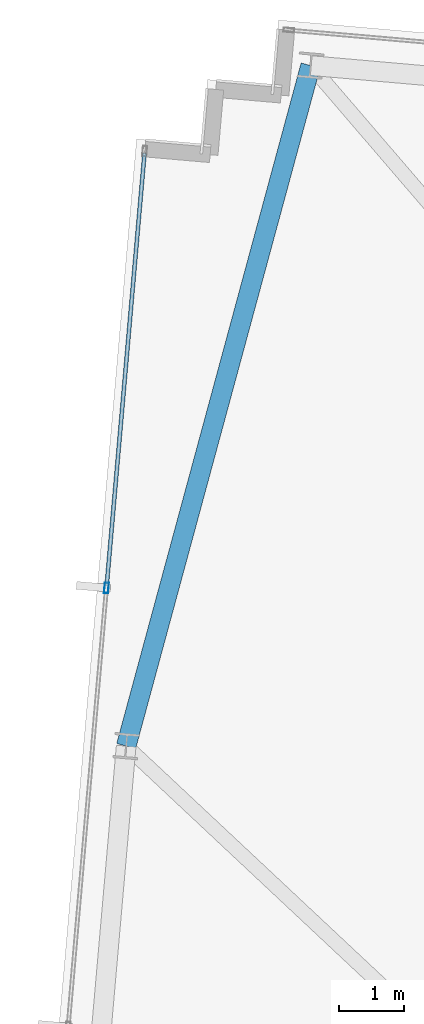
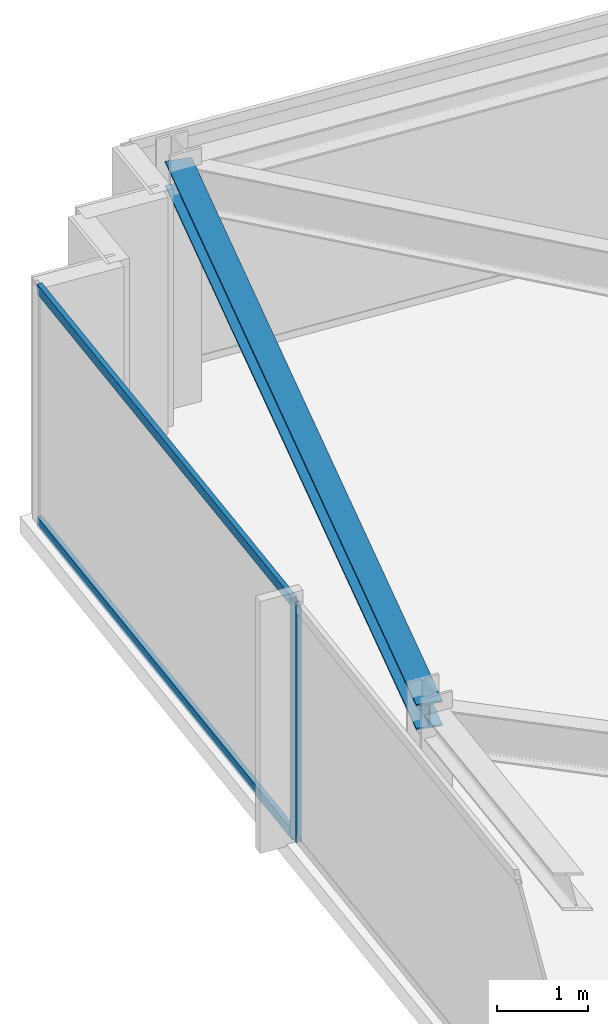
# One storey, part 11 of 32: 3 members, 1 beam, 1 element without a shape of its own.
"""IFC4 building model written with IfcOpenShell, lengths in metres."""

from ifc_helpers import new_model, si_unit, direction, frame, origin, origin_2d, place, context, subcontext, project, spatial, hollow_rectangle, i_section, extrude, material, material_profile, profile_set, type_object, element, aggregate, save


model = new_model("IFC4")

# Units and contexts
model_context = context("Model", 3, precision=1e-05, world=origin(), true_north=direction((0.0, 1.0)))
body_context = subcontext(model_context, "Body", "Model", "MODEL_VIEW")
ifc_project = project(units=[si_unit("LENGTHUNIT", "METRE"), si_unit("AREAUNIT", "SQUARE_METRE"), si_unit("VOLUMEUNIT", "CUBIC_METRE"), si_unit("PLANEANGLEUNIT", "RADIAN"), si_unit("MASSUNIT", "GRAM", prefix="KILO")], contexts=[model_context])

# Site, building, storey
site_placement = place(None, origin())
site = spatial("IfcSite", under=ifc_project, at=site_placement, CompositionType="ELEMENT")
building_placement = place(site_placement, origin())
building = spatial("IfcBuilding", under=site, at=building_placement, Name="Yelkora Congress Tower", CompositionType="ELEMENT")
storey_placement = place(building_placement, frame((0.0, 0.0, 276.10009765625)))
storey = spatial("IfcBuildingStorey", under=building, at=storey_placement, Name="L77", CompositionType="ELEMENT", Elevation=276.10009765625)

# Beam
ifc_material_1 = material(Name="Steel S355J2", Category="steel")
ifc_material_profile_1 = material_profile(ifc_material_1, i_section(OverallWidth=0.300048828125, OverallDepth=0.340087890625, WebThickness=0.011962890625, FlangeThickness=0.021484375, FilletRadius=0.027099609375, at=origin_2d()), Name="HEB 340")
ifc_profile_set_1 = profile_set([ifc_material_profile_1], Name="Steel S355J2")
beam_type = type_object("IfcBeamType", Name="BM-SPAN-HEB340", PredefinedType="SPANDREL", material=ifc_profile_set_1)
beam_placement = place(storey_placement, frame((10.60400390625, 49.884033203125, 3.010009765625), z_axis=(-0.261553643334, -0.965188940912, 0.0), x_axis=(0.965188940912, -0.261553643334, 0.0)))
element("IfcBeam", 1, at=beam_placement, inside=storey, type_object=beam_type, Name="L77 Perimeter Beam 13", PredefinedType="SPANDREL", context=body_context, shape_type="SweptSolid", body=[
    extrude(i_section(OverallWidth=0.300048828125, OverallDepth=0.340087890625, WebThickness=0.011962890625, FlangeThickness=0.021484375, FilletRadius=0.027099609375, at=origin_2d()), origin(), (0.0, 0.0, 1.0), 10.768798828125),
])

# Curtain wall, members
ifc_material_2 = material(Name="Anodised aluminium and insulated glass", Category="aluminium")
curtain_wall_type = type_object("IfcCurtainWallType", Name="CW-SYS-B5", PredefinedType="NOTDEFINED", material=ifc_material_2)
curtain_wall_placement = place(storey_placement, origin())
curtain_wall = element("IfcCurtainWall", 2, at=curtain_wall_placement, inside=storey, type_object=curtain_wall_type, Name="L77 Unitised Curtain Wall 5", PredefinedType="NOTDEFINED")
ifc_material_3 = material(Name="Anodised aluminium 6063-T6", Category="aluminium")
ifc_material_profile_2 = material_profile(ifc_material_3, hollow_rectangle(XDim=0.06494140625, YDim=0.159912109375, WallThickness=0.00390625, at=origin_2d()), Name="ALU 65x160x4")
ifc_profile_set_2 = profile_set([ifc_material_profile_2], Name="Anodised aluminium 6063-T6")
member_type_1 = type_object("IfcMemberType", Name="MEM-ML-B5", PredefinedType="MULLION", material=ifc_profile_set_2)
member_1_placement = place(storey_placement, frame((7.48681640625, 41.9052734375, 0.0), z_axis=(0.0, 0.0, 1.0), x_axis=(-0.996194785929, 0.08715473876, 0.0)))
member_1 = element("IfcMember", 3, at=member_1_placement, type_object=member_type_1, Name="CW-B5 mullion 4", PredefinedType="MULLION", context=body_context, shape_type="SweptSolid", body=[
    extrude(hollow_rectangle(XDim=0.06494140625, YDim=0.159912109375, WallThickness=0.00390625, at=origin_2d()), origin(), (0.0, 0.0, 1.0), 3.179931640625),
])
ifc_material_profile_3 = material_profile(ifc_material_3, hollow_rectangle(XDim=0.06005859375, YDim=0.1298828125, WallThickness=0.00390625, at=origin_2d()), Name="ALU 60x130x4")
ifc_profile_set_3 = profile_set([ifc_material_profile_3], Name="Anodised aluminium 6063-T6")
member_type_2 = type_object("IfcMemberType", Name="MEM-TR-B5", PredefinedType="USERDEFINED", material=ifc_profile_set_3)
member_2_placement = place(storey_placement, frame((7.489501953125, 41.937744140625, 0.02978515625), z_axis=(0.08716649365, 0.996193757451, 0.0), x_axis=(-0.996193757451, 0.08716649365, 0.0)))
member_2 = element("IfcMember", 4, at=member_2_placement, type_object=member_type_2, Name="CW-B5 transom 4.1", ObjectType="TRANSOM", PredefinedType="USERDEFINED", context=body_context, shape_type="SweptSolid", body=[
    extrude(hollow_rectangle(XDim=0.06005859375, YDim=0.1298828125, WallThickness=0.00390625, at=origin_2d()), origin(), (0.0, 0.0, 1.0), 6.63232421875),
])
member_3_placement = place(storey_placement, frame((7.489501953125, 41.937744140625, 3.14990234375), z_axis=(0.08716649365, 0.996193757451, 0.0), x_axis=(-0.996193757451, 0.08716649365, 0.0)))
member_3 = element("IfcMember", 5, at=member_3_placement, type_object=member_type_2, Name="CW-B5 transom 4.2", ObjectType="TRANSOM", PredefinedType="USERDEFINED", context=body_context, shape_type="SweptSolid", body=[
    extrude(hollow_rectangle(XDim=0.06005859375, YDim=0.1298828125, WallThickness=0.00390625, at=origin_2d()), origin(), (0.0, 0.0, 1.0), 6.63232421875),
])
aggregate(curtain_wall, [member_1, member_2, member_3])

save(model, "model.ifc")
